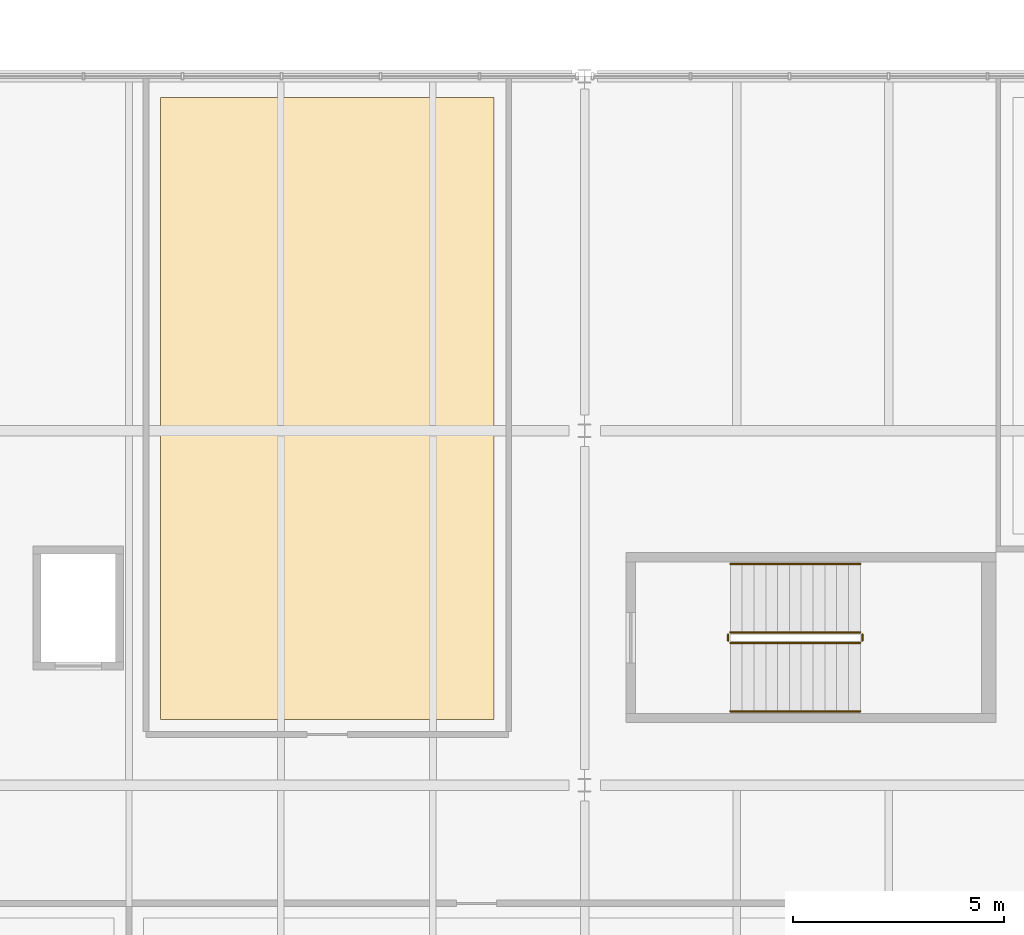
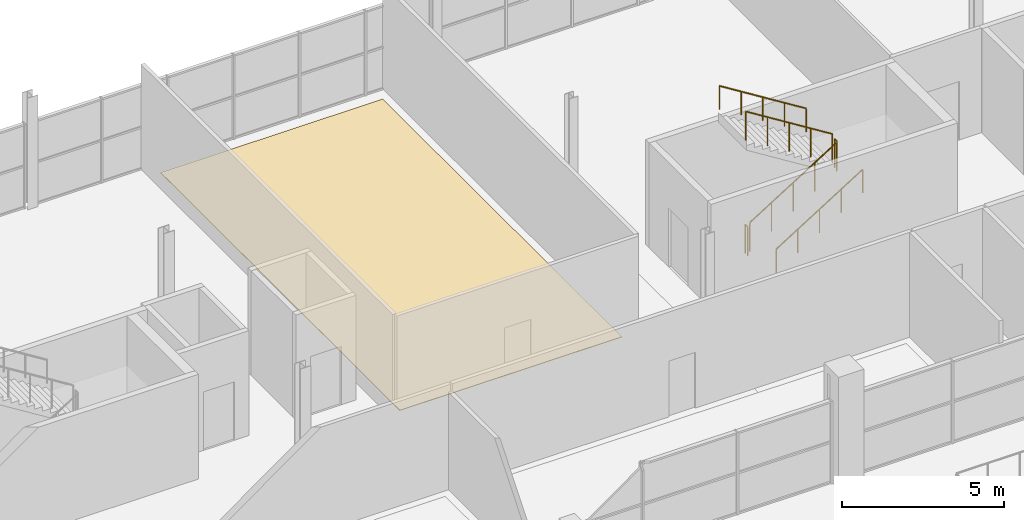
# One storey, part 158 of 161: 6 railings, 1 covering.
"""IFC4 building model written with IfcOpenShell, lengths in metres."""

import ifcopenshell
import ifcopenshell.guid

model = None  # the IFC model being written
_history = None  # IfcOwnerHistory: only IFC2X3 demands one
_inside = {}  # id of a spatial element -> (the spatial element, [elements in it])
_under = {}  # id of a project, library or spatial element -> (it, [spatial elements below it])
_declared = {}  # id of a project -> (the project, [libraries it declares])
_typed = {}  # id of a type object -> (the type object, [elements of that type])
_made_of = {}  # id of a material, layer set ... -> (it, [elements and type objects made of it])


def new_model(schema):
    """Start an empty IFC model of exactly this schema.

    Asked for "IFC4X3", IfcOpenShell would pick the latest addendum, in which some entities
    have other attributes; the version numbers below select the first issue.
    IFC2X3 requires an IfcOwnerHistory on every rooted entity: one is made here for all.
    """
    global model, _history
    if schema == "IFC4X3":
        model = ifcopenshell.file(schema_version=(4, 3, 0, 0))
    else:
        model = ifcopenshell.file(schema=schema)
    _inside.clear()
    _under.clear()
    _declared.clear()
    _typed.clear()
    _made_of.clear()
    _history = None
    if model.schema == "IFC2X3":
        org = make("IfcOrganization", Name="unknown")
        user = make(
            "IfcPersonAndOrganization",
            ThePerson=make("IfcPerson", FamilyName="unknown"),
            TheOrganization=org,
        )
        app = make(
            "IfcApplication",
            ApplicationDeveloper=org,
            Version="unknown",
            ApplicationFullName="unknown",
            ApplicationIdentifier="unknown",
        )
        _history = make(
            "IfcOwnerHistory",
            OwningUser=user,
            OwningApplication=app,
            ChangeAction="ADDED",
            CreationDate=0,
        )
    return model


def make(cls, **values):
    """One entity of the class cls with the attributes given. An attribute that is None is left unset."""
    return model.create_entity(
        cls, **{name: value for name, value in values.items() if value is not None}
    )


def rooted(cls, **values):
    """An entity with a GlobalId (a new one), such as an element, a storey or a relation."""
    return make(cls, GlobalId=ifcopenshell.guid.new(), OwnerHistory=_history, **values)


def si_unit(unit_type, name, prefix=None):
    """IfcSIUnit, for example si_unit("LENGTHUNIT", "METRE", prefix="MILLI")."""
    return make("IfcSIUnit", UnitType=unit_type, Prefix=prefix, Name=name)


def assignment(units):
    """IfcUnitAssignment: the units of a project."""
    return None if units is None else make("IfcUnitAssignment", Units=units)


def point(xyz):
    """IfcCartesianPoint."""
    return None if xyz is None else make("IfcCartesianPoint", Coordinates=xyz)


def direction(xyz):
    """IfcDirection."""
    return None if xyz is None else make("IfcDirection", DirectionRatios=xyz)


def frame(location, z_axis=None, x_axis=None):
    """IfcAxis2Placement3D, a coordinate frame: its origin and axes. An axis left out is left unset."""
    return make(
        "IfcAxis2Placement3D",
        Location=point(location),
        Axis=direction(z_axis),
        RefDirection=direction(x_axis),
    )


def frame_2d(location, x_axis=None):
    """IfcAxis2Placement2D, a coordinate frame in the plane: its origin and x axis."""
    return make(
        "IfcAxis2Placement2D", Location=point(location), RefDirection=direction(x_axis)
    )


def origin():
    """The frame at (0, 0, 0) with its axes left unset."""
    return frame((0.0, 0.0, 0.0))


def origin_2d():
    """The frame at (0, 0) in the plane with its x axis left unset."""
    return frame_2d((0.0, 0.0))


def place(relative_to, where):
    """IfcLocalPlacement: puts the frame where relative to a parent placement (None: the world)."""
    return make(
        "IfcLocalPlacement", PlacementRelTo=relative_to, RelativePlacement=where
    )


def context(
    kind, dimensions, precision=None, world=None, true_north=None, identifier=None
):
    """IfcGeometricRepresentationContext, for example the 3D "Model" context."""
    return make(
        "IfcGeometricRepresentationContext",
        ContextIdentifier=identifier,
        ContextType=kind,
        CoordinateSpaceDimension=dimensions,
        Precision=precision,
        WorldCoordinateSystem=world,
        TrueNorth=true_north,
    )


def subcontext(parent, identifier, kind, view, scale=None):
    """IfcGeometricRepresentationSubContext, for example "Body" below "Model"."""
    return make(
        "IfcGeometricRepresentationSubContext",
        ContextIdentifier=identifier,
        ContextType=kind,
        ParentContext=parent,
        TargetScale=scale,
        TargetView=view,
    )


def project(units=None, contexts=None):
    """IfcProject with its units and contexts."""
    return rooted(
        "IfcProject",
        Name="project",
        RepresentationContexts=contexts,
        UnitsInContext=assignment(units),
    )


def spatial(cls, under=None, at=None, **own):
    """A site, building, storey or space (cls), placed at a placement, below another one or the project."""
    s = rooted(cls, ObjectPlacement=at, **own)
    if under is not None:
        _under.setdefault(under.id(), (under, []))[1].append(s)
    return s


def polyline(points):
    """IfcPolyline through the points."""
    return make("IfcPolyline", Points=[point(p) for p in points])


def profile(cls, at=None, kind="AREA", **sizes):
    """A parametric profile (cls). Its sizes go by their IFC names, for example OverallWidth=200.0."""
    return make(cls, ProfileType=kind, Position=at, **sizes)


def circle(**sizes):
    """IfcCircleProfileDef."""
    return profile("IfcCircleProfileDef", **sizes)


def outline(outer, holes=None, kind="AREA"):
    """IfcArbitraryClosedProfileDef: a profile drawn as a closed curve; with holes, ...WithVoids."""
    if holes is None:
        return make("IfcArbitraryClosedProfileDef", ProfileType=kind, OuterCurve=outer)
    return make(
        "IfcArbitraryProfileDefWithVoids",
        ProfileType=kind,
        OuterCurve=outer,
        InnerCurves=holes,
    )


def extrude(swept, where, along, depth):
    """IfcExtrudedAreaSolid: the profile swept, set in the frame where, extruded along a direction by depth."""
    return make(
        "IfcExtrudedAreaSolid",
        SweptArea=swept,
        Position=where,
        ExtrudedDirection=direction(along),
        Depth=depth,
    )


def shape(context_of_items, identifier, shape_type, items):
    """IfcShapeRepresentation: the items that make up one representation, for example the "Body"."""
    return make(
        "IfcShapeRepresentation",
        ContextOfItems=context_of_items,
        RepresentationIdentifier=identifier,
        RepresentationType=shape_type,
        Items=items,
    )


def material(Name=None, Category=None):
    """IfcMaterial."""
    return make("IfcMaterial", Name=Name, Category=Category)


def layer(
    of_material, thickness, ventilated=None, Name=None, Category=None, Priority=None
):
    """IfcMaterialLayer: one layer of a wall or slab, of a material (None: an air gap)."""
    return make(
        "IfcMaterialLayer",
        Material=of_material,
        LayerThickness=thickness,
        IsVentilated=ventilated,
        Name=Name,
        Category=Category,
        Priority=Priority,
    )


def layer_set(layers, Name=None):
    """IfcMaterialLayerSet."""
    return make("IfcMaterialLayerSet", MaterialLayers=layers, LayerSetName=Name)


def made_of(thing, what):
    """Note that an element or type object is made of a material, layer set ...; save() writes the relation."""
    if what is not None:
        _made_of.setdefault(what.id(), (what, []))[1].append(thing)
    return thing


def type_object(cls, material=None, **own):
    """A type object (cls), such as IfcWallType, which elements share."""
    return made_of(rooted(cls, **own), material)


def element(
    cls,
    number,
    at=None,
    inside=None,
    cuts=None,
    type_object=None,
    material=None,
    context=None,
    identifier="Body",
    shape_type=None,
    held_by="IfcProductDefinitionShape",
    body=None,
    shapes=None,
    **own,
):
    """One element of the class cls, such as IfcWall. Its Tag is "e" and its number.

    at: its placement. inside: the storey or other place that contains it. cuts: it is an
    opening in that element (IfcRelVoidsElement). A single representation is given by context,
    identifier, shape_type and body (its items); several are given by shapes. held_by: the class
    of the entity that holds the representations. save() writes the other relations.
    """
    e = rooted(cls, Tag="e%d" % number, ObjectPlacement=at, **own)
    if body is not None:
        shapes = [shape(context, identifier, shape_type, body)]
    if shapes is not None:
        e.Representation = make(held_by, Representations=shapes)
    if inside is not None:
        _inside.setdefault(inside.id(), (inside, []))[1].append(e)
    if cuts is not None:
        rooted(
            "IfcRelVoidsElement", RelatingBuildingElement=cuts, RelatedOpeningElement=e
        )
    if type_object is not None:
        _typed.setdefault(type_object.id(), (type_object, []))[1].append(e)
    return made_of(e, material)


def aggregate(whole, parts):
    """IfcRelAggregates: a whole, such as a stair, and the parts it consists of."""
    return rooted("IfcRelAggregates", RelatingObject=whole, RelatedObjects=parts)


def save(model, path):
    """Write the relations noted so far, then the file.

    IfcRelAggregates (storeys below a building ...), IfcRelContainedInSpatialStructure (elements
    in a storey), IfcRelDefinesByType, IfcRelAssociatesMaterial and IfcRelDeclares: one each for
    every whole, place, type object, material and project.
    """
    for whole, parts in _under.values():
        aggregate(whole, parts)
    for where, things in _inside.values():
        rooted(
            "IfcRelContainedInSpatialStructure",
            RelatedElements=things,
            RelatingStructure=where,
        )
    for kind, things in _typed.values():
        rooted("IfcRelDefinesByType", RelatedObjects=things, RelatingType=kind)
    for what, things in _made_of.values():
        rooted("IfcRelAssociatesMaterial", RelatedObjects=things, RelatingMaterial=what)
    for by, libraries in _declared.values():
        rooted("IfcRelDeclares", RelatingContext=by, RelatedDefinitions=libraries)
    model.write(path)


model = new_model("IFC4")

# Units and contexts
model_context = context("Model", 3, precision=1e-05, world=origin(), true_north=direction((0.0, 1.0)))
body_context = subcontext(model_context, "Body", "Model", "MODEL_VIEW")
ifc_project = project(units=[si_unit("LENGTHUNIT", "METRE"), si_unit("AREAUNIT", "SQUARE_METRE"), si_unit("VOLUMEUNIT", "CUBIC_METRE"), si_unit("PLANEANGLEUNIT", "RADIAN"), si_unit("MASSUNIT", "GRAM", prefix="KILO"), si_unit("THERMODYNAMICTEMPERATUREUNIT", "KELVIN")], contexts=[model_context])

# Site, building, storey
site_placement = place(None, origin())
site = spatial("IfcSite", under=ifc_project, at=site_placement, CompositionType="ELEMENT")
building_placement = place(site_placement, origin())
building = spatial("IfcBuilding", under=site, at=building_placement, Name="Nduvali Passage Aquatics Centre", CompositionType="ELEMENT")
storey_placement = place(building_placement, frame((0.0, 0.0, 4.800048828125)))
storey = spatial("IfcBuildingStorey", under=building, at=storey_placement, Name="L01", CompositionType="ELEMENT", Elevation=4.800048828125)

# Covering
ifc_material_1 = material(Name="Resilient sports rubber flooring")
ifc_layer = layer(ifc_material_1, 0.02001953125, Name="Resilient sports rubber flooring")
ifc_layer_set = layer_set([ifc_layer], Name="Resilient sports rubber flooring")
covering_type = type_object("IfcCoveringType", Name="INT-COV-SPORT", PredefinedType="FLOORING", material=ifc_layer_set)
covering_placement = place(storey_placement, origin())
element("IfcCovering", 1, at=covering_placement, inside=storey, type_object=covering_type, Name="L01 Strength and Free-Weights Conditioning Hall Floor Finish", PredefinedType="FLOORING", context=body_context, shape_type="SweptSolid", body=[
    extrude(outline(polyline([(87.14990234375, 102.35009765625), (95.050048828125, 102.35009765625), (95.050048828125, 117.090087890625), (87.14990234375, 117.090087890625), (87.14990234375, 102.35009765625)])), origin(), (0.0, 0.0, 1.0), 0.02001953125),
])

# Railings
ifc_material_2 = material(Name="Stainless steel balustrade", Category="steel")
railing_type_1 = type_object("IfcRailingType", Name="INT-RLG-GRD110", PredefinedType="GUARDRAIL", material=ifc_material_2)
railing_1_placement = place(storey_placement, frame((100.64990234375, 104.169921875, 0.175048828125)))
element("IfcRailing", 2, at=railing_1_placement, inside=storey, type_object=railing_type_1, Name="L01 ST11 stair guard 1", PredefinedType="GUARDRAIL", context=body_context, shape_type="SweptSolid", body=[
    extrude(circle(Radius=0.02392578125, at=origin_2d()), frame((0.0, 0.0, 1.076171875), z_axis=(0.848028513186, 0.0, 0.529950602248), x_axis=(0.0, 1.0, 0.0)), (0.0, 0.0, 1.0), 3.632080078125),
    extrude(circle(Radius=0.02099609375, at=origin_2d()), origin(), (0.0, 0.0, 1.0), 1.052001953125),
    extrude(circle(Radius=0.02099609375, at=origin_2d()), frame((0.77001953125, 0.0, 0.481201171875)), (0.0, 0.0, 1.0), 1.052001953125),
    extrude(circle(Radius=0.02099609375, at=origin_2d()), frame((1.5400390625, 0.0, 0.96240234375)), (0.0, 0.0, 1.0), 1.052001953125),
    extrude(circle(Radius=0.02099609375, at=origin_2d()), frame((2.31005859375, 0.0, 1.443603515625)), (0.0, 0.0, 1.0), 1.052001953125),
    extrude(circle(Radius=0.02099609375, at=origin_2d()), frame((3.080078125, 0.0, 1.9248046875)), (0.0, 0.0, 1.0), 1.052001953125),
])
railing_2_placement = place(storey_placement, frame((103.780029296875, 104.219970703125, 2.099853515625)))
element("IfcRailing", 3, at=railing_2_placement, inside=storey, type_object=railing_type_1, Name="L01 ST11 stair guard 2", PredefinedType="GUARDRAIL", context=body_context, shape_type="SweptSolid", body=[
    extrude(circle(Radius=0.02392578125, at=origin_2d()), frame((0.0, 0.0, 1.076171875), z_axis=(0.0, 1.0, 0.0), x_axis=(-1.0, 0.0, 0.0)), (0.0, 0.0, 1.0), 0.150146484375),
    extrude(circle(Radius=0.02099609375, at=origin_2d()), origin(), (0.0, 0.0, 1.0), 1.052001953125),
    extrude(circle(Radius=0.02099609375, at=origin_2d()), frame((0.0, 0.150146484375, 0.0)), (0.0, 0.0, 1.0), 1.052001953125),
])
railing_3_placement = place(storey_placement, frame((103.72998046875, 104.419921875, 2.27490234375)))
element("IfcRailing", 4, at=railing_3_placement, inside=storey, type_object=railing_type_1, Name="L01 ST11 stair guard 3", PredefinedType="GUARDRAIL", context=body_context, shape_type="SweptSolid", body=[
    extrude(circle(Radius=0.02392578125, at=origin_2d()), frame((0.0, 0.0, 1.076171875), z_axis=(-0.847998304005, 0.0, 0.529998940003), x_axis=(0.0, -1.0, 0.0)), (0.0, 0.0, 1.0), 3.632080078125),
    extrude(circle(Radius=0.02099609375, at=origin_2d()), origin(), (0.0, 0.0, 1.0), 1.052001953125),
    extrude(circle(Radius=0.02099609375, at=origin_2d()), frame((-0.77001953125, 0.0, 0.481201171875)), (0.0, 0.0, 1.0), 1.052001953125),
    extrude(circle(Radius=0.02099609375, at=origin_2d()), frame((-1.5400390625, 0.0, 0.96240234375)), (0.0, 0.0, 1.0), 1.052001953125),
    extrude(circle(Radius=0.02099609375, at=origin_2d()), frame((-2.31005859375, 0.0, 1.44384765625)), (0.0, 0.0, 1.0), 1.052001953125),
    extrude(circle(Radius=0.02099609375, at=origin_2d()), frame((-3.080078125, 0.0, 1.925048828125)), (0.0, 0.0, 1.0), 1.052001953125),
])
railing_4_placement = place(storey_placement, frame((100.60009765625, 104.219970703125, 0.0)))
element("IfcRailing", 5, at=railing_4_placement, inside=storey, type_object=railing_type_1, Name="L01 ST11 stair guard 4", PredefinedType="GUARDRAIL", context=body_context, shape_type="SweptSolid", body=[
    extrude(circle(Radius=0.02392578125, at=origin_2d()), frame((0.0, 0.0, 1.076171875), z_axis=(0.0, 1.0, 0.0), x_axis=(-1.0, 0.0, 0.0)), (0.0, 0.0, 1.0), 0.150146484375),
    extrude(circle(Radius=0.02099609375, at=origin_2d()), origin(), (0.0, 0.0, 1.0), 1.052001953125),
    extrude(circle(Radius=0.02099609375, at=origin_2d()), frame((0.0, 0.150146484375, 0.0)), (0.0, 0.0, 1.0), 1.052001953125),
])
railing_type_2 = type_object("IfcRailingType", Name="INT-RLG-HND90", PredefinedType="HANDRAIL", material=ifc_material_2)
railing_5_placement = place(storey_placement, frame((100.64990234375, 102.550048828125, 0.353515625)))
element("IfcRailing", 6, at=railing_5_placement, inside=storey, type_object=railing_type_2, Name="L01 ST11 stair handrail 1", PredefinedType="HANDRAIL", context=body_context, shape_type="SweptSolid", body=[
    extrude(circle(Radius=0.02392578125, at=origin_2d()), frame((0.0, 0.0, 0.8759765625), z_axis=(0.847998304005, 0.0, 0.529998940003), x_axis=(0.0, 1.0, 0.0)), (0.0, 0.0, 1.0), 3.632080078125),
    extrude(circle(Radius=0.02099609375, at=origin_2d()), origin(), (0.0, 0.0, 1.0), 0.851806640625),
    extrude(circle(Radius=0.02099609375, at=origin_2d()), frame((0.77001953125, 0.0, 0.481201171875)), (0.0, 0.0, 1.0), 0.851806640625),
    extrude(circle(Radius=0.02099609375, at=origin_2d()), frame((1.5400390625, 0.0, 0.96240234375)), (0.0, 0.0, 1.0), 0.851806640625),
    extrude(circle(Radius=0.02099609375, at=origin_2d()), frame((2.31005859375, 0.0, 1.44384765625)), (0.0, 0.0, 1.0), 0.851806640625),
    extrude(circle(Radius=0.02099609375, at=origin_2d()), frame((3.080078125, 0.0, 1.925048828125)), (0.0, 0.0, 1.0), 0.851806640625),
])
railing_6_placement = place(storey_placement, frame((103.72998046875, 106.0400390625, 2.45361328125)))
element("IfcRailing", 7, at=railing_6_placement, inside=storey, type_object=railing_type_2, Name="L01 ST11 stair handrail 2", PredefinedType="HANDRAIL", context=body_context, shape_type="SweptSolid", body=[
    extrude(circle(Radius=0.02392578125, at=origin_2d()), frame((0.0, 0.0, 0.8759765625), z_axis=(-0.847998304005, 0.0, 0.529998940003), x_axis=(0.0, -1.0, 0.0)), (0.0, 0.0, 1.0), 3.632080078125),
    extrude(circle(Radius=0.02099609375, at=origin_2d()), origin(), (0.0, 0.0, 1.0), 0.851806640625),
    extrude(circle(Radius=0.02099609375, at=origin_2d()), frame((-0.77001953125, 0.0, 0.481201171875)), (0.0, 0.0, 1.0), 0.851806640625),
    extrude(circle(Radius=0.02099609375, at=origin_2d()), frame((-1.5400390625, 0.0, 0.96240234375)), (0.0, 0.0, 1.0), 0.851806640625),
    extrude(circle(Radius=0.02099609375, at=origin_2d()), frame((-2.31005859375, 0.0, 1.44384765625)), (0.0, 0.0, 1.0), 0.851806640625),
    extrude(circle(Radius=0.02099609375, at=origin_2d()), frame((-3.080078125, 0.0, 1.925048828125)), (0.0, 0.0, 1.0), 0.851806640625),
])

save(model, "model.ifc")
